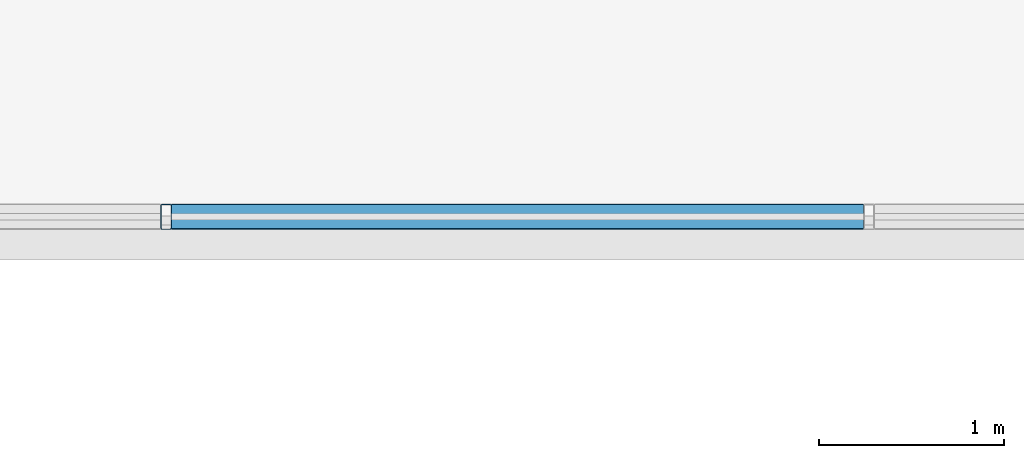
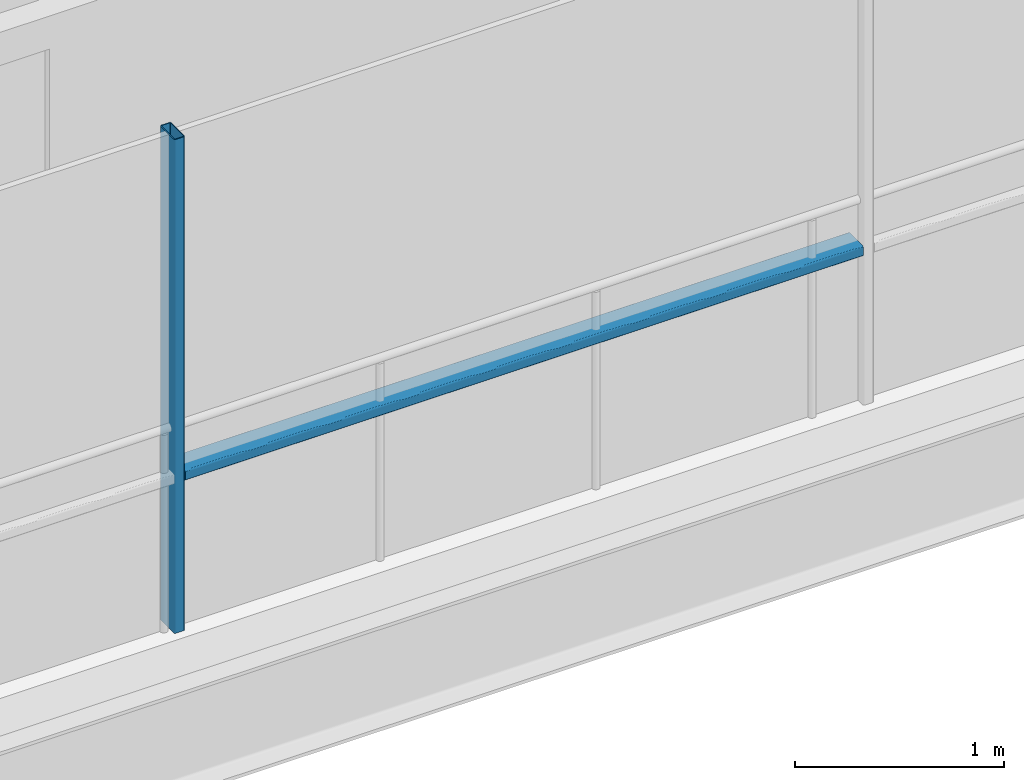
# One storey, part 13 of 41: 2 members, 1 element without a shape of its own.
"""IFC4 building model written with IfcOpenShell, lengths in metres."""

from ifc_helpers import new_model, si_unit, direction, frame, origin, origin_2d, place, context, subcontext, project, spatial, hollow_rectangle, extrude, material, layer, layer_set, material_profile, profile_set, type_object, element, aggregate, save


model = new_model("IFC4")

# Units and contexts
model_context = context("Model", 3, precision=1e-05, world=origin(), true_north=direction((0.0, 1.0)))
body_context = subcontext(model_context, "Body", "Model", "MODEL_VIEW")
ifc_project = project(units=[si_unit("LENGTHUNIT", "METRE"), si_unit("AREAUNIT", "SQUARE_METRE"), si_unit("VOLUMEUNIT", "CUBIC_METRE"), si_unit("PLANEANGLEUNIT", "RADIAN"), si_unit("MASSUNIT", "GRAM", prefix="KILO")], contexts=[model_context])

# Site, building, storey
site_placement = place(None, origin())
site = spatial("IfcSite", under=ifc_project, at=site_placement, CompositionType="ELEMENT")
building_placement = place(site_placement, origin())
building = spatial("IfcBuilding", under=site, at=building_placement, Name="Brevholm Reach", CompositionType="ELEMENT")
storey_placement = place(building_placement, frame((0.0, 0.0, 151.10009765625)))
storey = spatial("IfcBuildingStorey", under=building, at=storey_placement, Name="L45", CompositionType="ELEMENT", Elevation=151.10009765625)

# Curtain wall, members
ifc_material_1 = material(Name="Dark Anodised Aluminium 6063-T6 and Solar-Control Glass", Category="aluminium")
ifc_layer = layer(ifc_material_1, 0.139892578125)
ifc_layer_set = layer_set([ifc_layer], Name="Dark Anodised Aluminium 6063-T6 and Solar-Control Glass")
curtain_wall_type = type_object("IfcCurtainWallType", Name="CW-02", PredefinedType="NOTDEFINED", material=ifc_layer_set)
curtain_wall_placement = place(storey_placement, origin())
curtain_wall = element("IfcCurtainWall", 1, at=curtain_wall_placement, inside=storey, type_object=curtain_wall_type, Name="L45 Curtain Wall CW-02", PredefinedType="NOTDEFINED")
ifc_material_2 = material(Name="Dark Anodised Aluminium 6063-T6", Category="aluminium")
ifc_material_profile_1 = material_profile(ifc_material_2, hollow_rectangle(XDim=0.06005859375, YDim=0.139892578125, WallThickness=0.0048828125, InnerFilletRadius=0.0048828125, OuterFilletRadius=0.010009765625, at=origin_2d()), Name="RHS 140x60x5")
ifc_profile_set_1 = profile_set([ifc_material_profile_1], Name="Dark Anodised Aluminium 6063-T6")
member_type_1 = type_object("IfcMemberType", Name="CWM-140", PredefinedType="MULLION", material=ifc_profile_set_1)
member_1_placement = place(storey_placement, frame((30.050048828125, 26.6201171875, 0.0), z_axis=(0.0, 0.0, 1.0), x_axis=(-1.0, 0.0, 0.0)))
member_1 = element("IfcMember", 2, at=member_1_placement, type_object=member_type_1, Name="CM-140 Mullion 3", PredefinedType="MULLION", context=body_context, shape_type="SweptSolid", body=[
    extrude(hollow_rectangle(XDim=0.06005859375, YDim=0.139892578125, WallThickness=0.0048828125, InnerFilletRadius=0.0048828125, OuterFilletRadius=0.010009765625, at=origin_2d()), origin(), (0.0, 0.0, 1.0), 2.8798828125),
])
ifc_material_3 = material(Name="Dark Anodised Aluminium 6063-T6", Category="aluminium")
ifc_material_profile_2 = material_profile(ifc_material_3, hollow_rectangle(XDim=0.06005859375, YDim=0.139892578125, WallThickness=0.0048828125, InnerFilletRadius=0.0048828125, OuterFilletRadius=0.010009765625, at=origin_2d()), Name="RHS 140x60x5")
ifc_profile_set_2 = profile_set([ifc_material_profile_2], Name="Dark Anodised Aluminium 6063-T6")
member_type_2 = type_object("IfcMemberType", Name="CWT-140", PredefinedType="NOTDEFINED", material=ifc_profile_set_2)
member_2_placement = place(storey_placement, frame((33.820068359375, 26.6201171875, 0.89990234375), z_axis=(-1.0, 0.0, 0.0), x_axis=(0.0, 0.0, 1.0)))
member_2 = element("IfcMember", 3, at=member_2_placement, type_object=member_type_2, Name="CT-140 Transom 2.1", ObjectType="TRANSOM", PredefinedType="USERDEFINED", context=body_context, shape_type="SweptSolid", body=[
    extrude(hollow_rectangle(XDim=0.06005859375, YDim=0.139892578125, WallThickness=0.0048828125, InnerFilletRadius=0.0048828125, OuterFilletRadius=0.010009765625, at=origin_2d()), origin(), (0.0, 0.0, 1.0), 3.739990234375),
])
aggregate(curtain_wall, [member_1, member_2])

save(model, "model.ifc")
